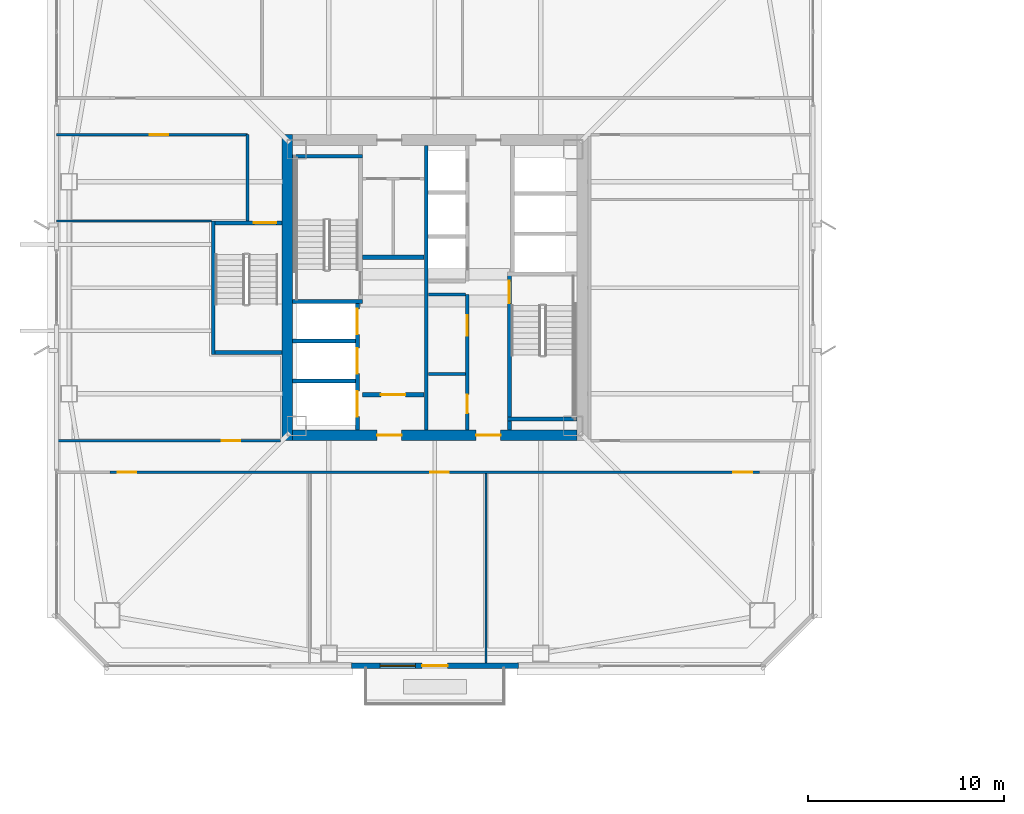
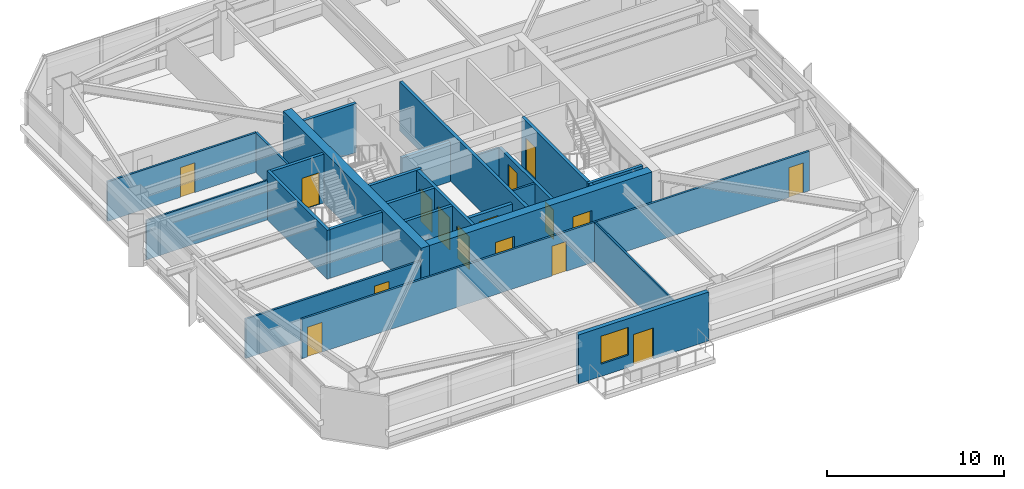
# One storey, part 36 of 48: 25 walls, 16 doors, 1 window, 17 openings.
"""IFC4 building model written with IfcOpenShell, lengths in metres."""

from ifc_helpers import new_model, si_unit, direction, frame, frame_2d, origin, place, context, subcontext, project, spatial, rectangle, extrude, material, layer, layer_set, type_object, element, fill, save


model = new_model("IFC4")

# Units and contexts
model_context = context("Model", 3, precision=1e-05, world=origin(), true_north=direction((0.0, 1.0)))
body_context = subcontext(model_context, "Body", "Model", "MODEL_VIEW")
ifc_project = project(units=[si_unit("LENGTHUNIT", "METRE"), si_unit("AREAUNIT", "SQUARE_METRE"), si_unit("VOLUMEUNIT", "CUBIC_METRE"), si_unit("PLANEANGLEUNIT", "RADIAN"), si_unit("MASSUNIT", "GRAM", prefix="KILO")], contexts=[model_context])

# Site, building, storey
site_placement = place(None, origin())
site = spatial("IfcSite", under=ifc_project, at=site_placement, CompositionType="ELEMENT")
building_placement = place(site_placement, origin())
building = spatial("IfcBuilding", under=site, at=building_placement, Name="Tashvorn Skyway Center", CompositionType="ELEMENT")
storey_placement = place(building_placement, frame((0.0, 0.0, 125.050048828125)))
storey = spatial("IfcBuildingStorey", under=building, at=storey_placement, Name="L33", CompositionType="ELEMENT", Elevation=125.050048828125)

# Wall
ifc_material_1 = material(Name="Concrete C60/75", Category="concrete")
ifc_layer_1 = layer(ifc_material_1, 0.550048828125)
ifc_layer_set_1 = layer_set([ifc_layer_1], Name="Concrete C60/75")
wall_type_1 = type_object("IfcWallType", Name="WALL-CORE-550", PredefinedType="SHEAR", material=ifc_layer_set_1)
wall_1_placement = place(storey_placement, frame((34.47509765625, 24.199951171875, 0.0), z_axis=(0.0, 0.0, 1.0), x_axis=(0.0, 1.0, 0.0)))
element("IfcWall", 1, at=wall_1_placement, inside=storey, type_object=wall_type_1, Name="Tower 1 L33 West Core Shear Wall", PredefinedType="SHEAR", context=body_context, shape_type="SweptSolid", body=[
    extrude(rectangle(XDim=15.60009765625, YDim=0.550048828125, at=frame_2d((7.800048828125, 0.0))), origin(), (0.0, 0.0, 1.0), 3.550048828125),
])

# Wall, openings, doors
wall_2_placement = place(storey_placement, frame((49.25, 24.47509765625, 0.0), z_axis=(0.0, 0.0, 1.0), x_axis=(-1.0, 0.0, 0.0)))
wall_2 = element("IfcWall", 2, at=wall_2_placement, inside=storey, type_object=wall_type_1, Name="Tower 1 L33 South Core Shear Wall", PredefinedType="SHEAR", context=body_context, shape_type="SweptSolid", body=[
    extrude(rectangle(XDim=14.5, YDim=0.550048828125, at=frame_2d((7.25, 0.0))), origin(), (0.0, 0.0, 1.0), 3.550048828125),
])
opening_1_placement = place(wall_2_placement, frame((8.949951171875, 0.0, 0.0)))
opening_1 = element("IfcOpeningElement", 3, at=opening_1_placement, cuts=wall_2, Name="Opening D-FFL-1250", PredefinedType="OPENING", context=body_context, shape_type="SweptSolid", body=[
    extrude(rectangle(XDim=1.25, YDim=2.25, at=frame_2d((0.625, 1.125))), frame((0.0, 0.284912109375, 0.0), z_axis=(0.0, -1.0, 0.0), x_axis=(1.0, 0.0, 0.0)), (0.0, 0.0, 1.0), 0.570068359375),
])
opening_2_placement = place(wall_2_placement, frame((3.89990234375, 0.0, 0.0)))
opening_2 = element("IfcOpeningElement", 4, at=opening_2_placement, cuts=wall_2, Name="Opening D-FFL-1250", PredefinedType="OPENING", context=body_context, shape_type="SweptSolid", body=[
    extrude(rectangle(XDim=1.25, YDim=2.25, at=frame_2d((0.625, 1.125))), frame((0.0, 0.284912109375, 0.0), z_axis=(0.0, -1.0, 0.0), x_axis=(1.0, 0.0, 0.0)), (0.0, 0.0, 1.0), 0.570068359375),
])
ifc_material_2 = material(Name="Hollow galvanized steel fire door assembly", Category="steel")
door_type_1 = type_object("IfcDoorType", Name="DOOR-FFL-1250", OperationType="NOTDEFINED", PredefinedType="DOOR", material=ifc_material_2)
door_1_placement = place(opening_1_placement, origin())
door_1 = element("IfcDoor", 5, at=door_1_placement, inside=storey, type_object=door_type_1, Name="Tower 1 L33 Core South Firefighting Exit Door", OperationType="SINGLE_SWING_LEFT", OverallHeight=2.25, OverallWidth=1.25, PredefinedType="DOOR", context=body_context, shape_type="SweptSolid", body=[
    extrude(rectangle(XDim=1.25, YDim=2.25, at=frame_2d((0.625, 1.125))), frame((0.0, 0.02490234375, 0.0), z_axis=(0.0, -1.0, 0.0), x_axis=(1.0, 0.0, 0.0)), (0.0, 0.0, 1.0), 0.050048828125),
])
fill(opening_1, door_1)
door_2_placement = place(opening_2_placement, origin())
door_2 = element("IfcDoor", 6, at=door_2_placement, inside=storey, type_object=door_type_1, Name="Tower 1 L33 Core South Lift Lobby Door", OperationType="SINGLE_SWING_RIGHT", OverallHeight=2.25, OverallWidth=1.25, PredefinedType="DOOR", context=body_context, shape_type="SweptSolid", body=[
    extrude(rectangle(XDim=1.25, YDim=2.25, at=frame_2d((0.625, 1.125))), frame((0.0, 0.02490234375, 0.0), z_axis=(0.0, -1.0, 0.0), x_axis=(1.0, 0.0, 0.0)), (0.0, 0.0, 1.0), 0.050048828125),
])
fill(opening_2, door_2)

# Wall, openings, door, window
ifc_material_3 = material(Name="Precast concrete C40/50", Category="concrete")
ifc_layer_2 = layer(ifc_material_3, 0.280029296875)
ifc_layer_set_2 = layer_set([ifc_layer_2], Name="Precast concrete C40/50")
wall_type_2 = type_object("IfcWallType", Name="WALL-EXT-280", PredefinedType="SOLIDWALL", material=ifc_layer_set_2)
wall_3_placement = place(storey_placement, frame((46.25, 12.719970703125, 0.0), z_axis=(0.0, 0.0, 1.0), x_axis=(-1.0, 0.0, 0.0)))
wall_3 = element("IfcWall", 7, at=wall_3_placement, inside=storey, type_object=wall_type_2, Name="Tower 1 L33 South Terrace Portal Wall", PredefinedType="SOLIDWALL", context=body_context, shape_type="SweptSolid", body=[
    extrude(rectangle(XDim=8.5, YDim=0.280029296875, at=frame_2d((4.25, 0.0))), origin(), (0.0, 0.0, 1.0), 3.369873046875),
])
opening_3_placement = place(wall_3_placement, frame((3.60009765625, 0.0, 0.0)))
opening_3 = element("IfcOpeningElement", 8, at=opening_3_placement, cuts=wall_3, Name="Opening D-TER-1300", PredefinedType="OPENING", context=body_context, shape_type="SweptSolid", body=[
    extrude(rectangle(XDim=1.300048828125, YDim=2.14990234375, at=frame_2d((0.64990234375, 1.074951171875))), frame((0.0, 0.14990234375, 0.0), z_axis=(0.0, -1.0, 0.0), x_axis=(1.0, 0.0, 0.0)), (0.0, 0.0, 1.0), 0.300048828125),
])
opening_4_placement = place(wall_3_placement, frame((5.239990234375, 0.0, 0.85009765625)))
opening_4 = element("IfcOpeningElement", 9, at=opening_4_placement, cuts=wall_3, Name="Opening WIN-1800", PredefinedType="OPENING", context=body_context, shape_type="SweptSolid", body=[
    extrude(rectangle(XDim=1.800048828125, YDim=1.919921875, at=frame_2d((0.89990234375, 0.9599609375))), frame((0.0, 0.14990234375, 0.0), z_axis=(0.0, -1.0, 0.0), x_axis=(1.0, 0.0, 0.0)), (0.0, 0.0, 1.0), 0.300048828125),
])
ifc_material_4 = material(Name="Thermally broken bronze-anodized aluminium 6063-T6", Category="aluminium")
door_type_2 = type_object("IfcDoorType", Name="DOOR-TERR-1300", OperationType="NOTDEFINED", PredefinedType="DOOR", material=ifc_material_4)
door_3_placement = place(opening_3_placement, origin())
door_3 = element("IfcDoor", 10, at=door_3_placement, inside=storey, type_object=door_type_2, Name="Tower 1 L33 Terrace Access Door", OperationType="SINGLE_SWING_LEFT", OverallHeight=2.14990234375, OverallWidth=1.300048828125, PredefinedType="DOOR", context=body_context, shape_type="SweptSolid", body=[
    extrude(rectangle(XDim=1.300048828125, YDim=2.14990234375, at=frame_2d((0.64990234375, 1.074951171875))), frame((0.0, 0.02490234375, 0.0), z_axis=(0.0, -1.0, 0.0), x_axis=(1.0, 0.0, 0.0)), (0.0, 0.0, 1.0), 0.050048828125),
])
fill(opening_3, door_3)
ifc_material_5 = material(Name="Low-E solar-control double insulating safety glass", Category="glass")
window_type = type_object("IfcWindowType", Name="WIN-TERR-1800", PartitioningType="SINGLE_PANEL", PredefinedType="WINDOW", material=ifc_material_5)
window_placement = place(opening_4_placement, origin())
window = element("IfcWindow", 11, at=window_placement, inside=storey, type_object=window_type, Name="Tower 1 L33 Terrace Window", OverallHeight=1.919921875, OverallWidth=1.800048828125, PartitioningType="SINGLE_PANEL", PredefinedType="WINDOW", context=body_context, shape_type="SweptSolid", body=[
    extrude(rectangle(XDim=1.800048828125, YDim=1.919921875, at=frame_2d((0.89990234375, 0.9599609375))), frame((0.0, 0.030029296875, 0.0), z_axis=(0.0, -1.0, 0.0), x_axis=(1.0, 0.0, 0.0)), (0.0, 0.0, 1.0), 0.06005859375),
])
fill(opening_4, window)

# Wall
ifc_material_6 = material(Name="Concrete C40/50", Category="concrete")
ifc_layer_3 = layer(ifc_material_6, 0.219970703125)
ifc_layer_set_3 = layer_set([ifc_layer_3], Name="Concrete C40/50")
wall_type_3 = type_object("IfcWallType", Name="WALL-FFL-220", PredefinedType="SOLIDWALL", material=ifc_layer_set_3)
wall_4_placement = place(storey_placement, frame((38.300048828125, 33.56005859375, 0.0), z_axis=(0.0, 0.0, 1.0), x_axis=(1.0, 0.0, 0.0)))
element("IfcWall", 12, at=wall_4_placement, inside=storey, type_object=wall_type_3, Name="Tower 1 L33 Firefighting Lobby North Wall", PredefinedType="SOLIDWALL", context=body_context, shape_type="SweptSolid", body=[
    extrude(rectangle(XDim=3.14990234375, YDim=0.219970703125, at=frame_2d((1.574951171875, 0.0))), origin(), (0.0, 0.0, 1.0), 2.722900390625),
])

# Wall, opening, door
wall_5_placement = place(storey_placement, frame((38.300048828125, 26.5400390625, 0.0), z_axis=(0.0, 0.0, 1.0), x_axis=(1.0, 0.0, 0.0)))
wall_5 = element("IfcWall", 13, at=wall_5_placement, inside=storey, type_object=wall_type_3, Name="Tower 1 L33 Firefighting Lobby South Wall", PredefinedType="SOLIDWALL", context=body_context, shape_type="SweptSolid", body=[
    extrude(rectangle(XDim=3.14990234375, YDim=0.219970703125, at=frame_2d((1.574951171875, 0.0))), origin(), (0.0, 0.0, 1.0), 2.722900390625),
])
opening_5_placement = place(wall_5_placement, frame((0.949951171875, 0.0, 0.0)))
opening_5 = element("IfcOpeningElement", 14, at=opening_5_placement, cuts=wall_5, Name="Opening D-FFL-1250", PredefinedType="OPENING", context=body_context, shape_type="SweptSolid", body=[
    extrude(rectangle(XDim=1.25, YDim=2.25, at=frame_2d((0.625, 1.125))), frame((0.0, 0.119873046875, 0.0), z_axis=(0.0, -1.0, 0.0), x_axis=(1.0, 0.0, 0.0)), (0.0, 0.0, 1.0), 0.239990234375),
])
door_4_placement = place(opening_5_placement, origin())
door_4 = element("IfcDoor", 15, at=door_4_placement, inside=storey, type_object=door_type_1, Name="Tower 1 L33 Firefighting Lobby Egress Door", OperationType="SINGLE_SWING_LEFT", OverallHeight=2.25, OverallWidth=1.25, PredefinedType="DOOR", context=body_context, shape_type="SweptSolid", body=[
    extrude(rectangle(XDim=1.25, YDim=2.25, at=frame_2d((0.625, 1.125))), frame((0.0, 0.02490234375, 0.0), z_axis=(0.0, -1.0, 0.0), x_axis=(1.0, 0.0, 0.0)), (0.0, 0.0, 1.0), 0.050048828125),
])
fill(opening_5, door_4)

# Walls
ifc_material_7 = material(Name="Gypsum board on cold-formed steel stud framing", Category="steel")
ifc_layer_4 = layer(ifc_material_7, 0.110107421875)
ifc_layer_set_4 = layer_set([ifc_layer_4], Name="Gypsum board on cold-formed steel stud framing")
wall_type_4 = type_object("IfcWallType", Name="WALL-PART-110", PredefinedType="PARTITIONING", material=ifc_layer_set_4)
wall_6_placement = place(storey_placement, frame((44.60009765625, 12.8701171875, 0.0), z_axis=(0.0, 0.0, 1.0), x_axis=(0.0, 1.0, 0.0)))
element("IfcWall", 16, at=wall_6_placement, inside=storey, type_object=wall_type_4, Name="Tower 1 L33 South Suite Partition 2", PredefinedType="PARTITIONING", context=body_context, shape_type="SweptSolid", body=[
    extrude(rectangle(XDim=9.64990234375, YDim=0.110107421875, at=frame_2d((4.824951171875, 0.0))), origin(), (0.0, 0.0, 1.0), 2.722900390625),
])
wall_7_placement = place(storey_placement, frame((30.60009765625, 35.39990234375, 0.0), z_axis=(0.0, 0.0, 1.0), x_axis=(-1.0, 0.0, 0.0)))
element("IfcWall", 17, at=wall_7_placement, inside=storey, type_object=wall_type_4, Name="Tower 1 L33 West Suite Partition 1", PredefinedType="PARTITIONING", context=body_context, shape_type="SweptSolid", body=[
    extrude(rectangle(XDim=7.880126953125, YDim=0.110107421875, at=frame_2d((3.93994140625, 0.0))), origin(), (0.0, 0.0, 1.0), 2.722900390625),
])
ifc_layer_5 = layer(ifc_material_7, 0.135009765625)
ifc_layer_set_5 = layer_set([ifc_layer_5], Name="Gypsum board on cold-formed steel stud framing")
wall_type_5 = type_object("IfcWallType", Name="WALL-PART-135", PredefinedType="PARTITIONING", material=ifc_layer_set_5)
wall_8_placement = place(storey_placement, frame((32.449951171875, 35.39990234375, 0.0), z_axis=(0.0, 0.0, 1.0), x_axis=(0.0, 1.0, 0.0)))
element("IfcWall", 18, at=wall_8_placement, inside=storey, type_object=wall_type_5, Name="Tower 1 L33 Stair 3 Access Corridor Wall", PredefinedType="PARTITIONING", context=body_context, shape_type="SweptSolid", body=[
    extrude(rectangle(XDim=4.400146484375, YDim=0.135009765625, at=frame_2d((2.2001953125, 0.0))), origin(), (0.0, 0.0, 1.0), 2.722900390625),
])

# Wall, openings, doors
wall_9_placement = place(storey_placement, frame((58.550048828125, 22.60009765625, 0.0), z_axis=(0.0, 0.0, 1.0), x_axis=(-1.0, 0.0, 0.0)))
wall_9 = element("IfcWall", 19, at=wall_9_placement, inside=storey, type_object=wall_type_5, Name="Tower 1 L33 South Suite Wall", PredefinedType="PARTITIONING", context=body_context, shape_type="SweptSolid", body=[
    extrude(rectangle(XDim=33.10009765625, YDim=0.135009765625, at=frame_2d((16.550048828125, 0.0))), origin(), (0.0, 0.0, 1.0), 2.722900390625),
])
opening_6_placement = place(wall_9_placement, frame((31.77001953125, 0.0, 0.0)))
opening_6 = element("IfcOpeningElement", 20, at=opening_6_placement, cuts=wall_9, Name="Opening D-INT-950", PredefinedType="OPENING", context=body_context, shape_type="SweptSolid", body=[
    extrude(rectangle(XDim=0.949951171875, YDim=2.050048828125, at=frame_2d((0.47509765625, 1.02490234375))), frame((0.0, 0.077392578125, 0.0), z_axis=(0.0, -1.0, 0.0), x_axis=(1.0, 0.0, 0.0)), (0.0, 0.0, 1.0), 0.155029296875),
])
opening_7_placement = place(wall_9_placement, frame((15.83837890625, 0.0, 0.0)))
opening_7 = element("IfcOpeningElement", 21, at=opening_7_placement, cuts=wall_9, Name="Opening D-INT-950", PredefinedType="OPENING", context=body_context, shape_type="SweptSolid", body=[
    extrude(rectangle(XDim=0.949951171875, YDim=2.050048828125, at=frame_2d((0.47509765625, 1.02490234375))), frame((0.0, 0.077392578125, 0.0), z_axis=(0.0, -1.0, 0.0), x_axis=(1.0, 0.0, 0.0)), (0.0, 0.0, 1.0), 0.155029296875),
])
opening_8_placement = place(wall_9_placement, frame((0.3798828125, 0.0, 0.0)))
opening_8 = element("IfcOpeningElement", 22, at=opening_8_placement, cuts=wall_9, Name="Opening D-INT-950", PredefinedType="OPENING", context=body_context, shape_type="SweptSolid", body=[
    extrude(rectangle(XDim=0.949951171875, YDim=2.050048828125, at=frame_2d((0.47509765625, 1.02490234375))), frame((0.0, 0.077392578125, 0.0), z_axis=(0.0, -1.0, 0.0), x_axis=(1.0, 0.0, 0.0)), (0.0, 0.0, 1.0), 0.155029296875),
])
ifc_material_8 = material(Name="Solid-core architectural oak veneer door")
door_type_3 = type_object("IfcDoorType", Name="DOOR-INT-950", OperationType="NOTDEFINED", PredefinedType="DOOR", material=ifc_material_8)
door_5_placement = place(opening_6_placement, origin())
door_5 = element("IfcDoor", 23, at=door_5_placement, inside=storey, type_object=door_type_3, Name="Tower 1 L33 Executive Suite Door", OperationType="SINGLE_SWING_LEFT", OverallHeight=2.050048828125, OverallWidth=0.949951171875, PredefinedType="DOOR", context=body_context, shape_type="SweptSolid", body=[
    extrude(rectangle(XDim=0.949951171875, YDim=2.050048828125, at=frame_2d((0.47509765625, 1.02490234375))), frame((0.0, 0.02490234375, 0.0), z_axis=(0.0, -1.0, 0.0), x_axis=(1.0, 0.0, 0.0)), (0.0, 0.0, 1.0), 0.050048828125),
])
fill(opening_6, door_5)
door_6_placement = place(opening_7_placement, origin())
door_6 = element("IfcDoor", 24, at=door_6_placement, inside=storey, type_object=door_type_3, Name="Tower 1 L33 Boardroom Door", OperationType="SINGLE_SWING_RIGHT", OverallHeight=2.050048828125, OverallWidth=0.949951171875, PredefinedType="DOOR", context=body_context, shape_type="SweptSolid", body=[
    extrude(rectangle(XDim=0.949951171875, YDim=2.050048828125, at=frame_2d((0.47509765625, 1.02490234375))), frame((0.0, 0.02490234375, 0.0), z_axis=(0.0, -1.0, 0.0), x_axis=(1.0, 0.0, 0.0)), (0.0, 0.0, 1.0), 0.050048828125),
])
fill(opening_7, door_6)
door_7_placement = place(opening_8_placement, origin())
door_7 = element("IfcDoor", 25, at=door_7_placement, inside=storey, type_object=door_type_3, Name="Tower 1 L33 Boardroom Door", OperationType="SINGLE_SWING_LEFT", OverallHeight=2.050048828125, OverallWidth=0.949951171875, PredefinedType="DOOR", context=body_context, shape_type="SweptSolid", body=[
    extrude(rectangle(XDim=0.949951171875, YDim=2.050048828125, at=frame_2d((0.47509765625, 1.02490234375))), frame((0.0, 0.02490234375, 0.0), z_axis=(0.0, -1.0, 0.0), x_axis=(1.0, 0.0, 0.0)), (0.0, 0.0, 1.0), 0.050048828125),
])
fill(opening_8, door_7)

# Wall, opening, door
wall_10_placement = place(storey_placement, frame((32.449951171875, 39.800048828125, 0.0), z_axis=(0.0, 0.0, 1.0), x_axis=(-1.0, 0.0, 0.0)))
wall_10 = element("IfcWall", 26, at=wall_10_placement, inside=storey, type_object=wall_type_5, Name="Tower 1 L33 West Suite North Wall", PredefinedType="PARTITIONING", context=body_context, shape_type="SweptSolid", body=[
    extrude(rectangle(XDim=9.72998046875, YDim=0.135009765625, at=frame_2d((4.864990234375, 0.0))), origin(), (0.0, 0.0, 1.0), 2.722900390625),
])
opening_9_placement = place(wall_10_placement, frame((4.0400390625, 0.0, 0.0)))
opening_9 = element("IfcOpeningElement", 27, at=opening_9_placement, cuts=wall_10, Name="Opening D-INT-950", PredefinedType="OPENING", context=body_context, shape_type="SweptSolid", body=[
    extrude(rectangle(XDim=0.949951171875, YDim=2.050048828125, at=frame_2d((0.47509765625, 1.02490234375))), frame((0.0, 0.077392578125, 0.0), z_axis=(0.0, -1.0, 0.0), x_axis=(1.0, 0.0, 0.0)), (0.0, 0.0, 1.0), 0.155029296875),
])
door_8_placement = place(opening_9_placement, origin())
door_8 = element("IfcDoor", 28, at=door_8_placement, inside=storey, type_object=door_type_3, Name="Tower 1 L33 Security Control Room Door", OperationType="SINGLE_SWING_RIGHT", OverallHeight=2.050048828125, OverallWidth=0.949951171875, PredefinedType="DOOR", context=body_context, shape_type="SweptSolid", body=[
    extrude(rectangle(XDim=0.949951171875, YDim=2.050048828125, at=frame_2d((0.47509765625, 1.02490234375))), frame((0.0, 0.02490234375, 0.0), z_axis=(0.0, -1.0, 0.0), x_axis=(1.0, 0.0, 0.0)), (0.0, 0.0, 1.0), 0.050048828125),
])
fill(opening_9, door_8)

wall_11_placement = place(storey_placement, frame((22.719970703125, 24.199951171875, 0.0), z_axis=(0.0, 0.0, 1.0), x_axis=(1.0, 0.0, 0.0)))
wall_11 = element("IfcWall", 29, at=wall_11_placement, inside=storey, type_object=wall_type_5, Name="Tower 1 L33 West Suite South Wall", PredefinedType="PARTITIONING", context=body_context, shape_type="SweptSolid", body=[
    extrude(rectangle(XDim=11.400146484375, YDim=0.135009765625, at=frame_2d((5.7001953125, 0.0))), origin(), (0.0, 0.0, 1.0), 2.722900390625),
])
opening_10_placement = place(wall_11_placement, frame((8.405029296875, 0.0, 0.0)))
opening_10 = element("IfcOpeningElement", 30, at=opening_10_placement, cuts=wall_11, Name="Opening D-INT-950", PredefinedType="OPENING", context=body_context, shape_type="SweptSolid", body=[
    extrude(rectangle(XDim=0.949951171875, YDim=2.050048828125, at=frame_2d((0.47509765625, 1.02490234375))), frame((0.0, 0.077392578125, 0.0), z_axis=(0.0, -1.0, 0.0), x_axis=(1.0, 0.0, 0.0)), (0.0, 0.0, 1.0), 0.155029296875),
])
door_9_placement = place(opening_10_placement, origin())
door_9 = element("IfcDoor", 31, at=door_9_placement, inside=storey, type_object=door_type_3, Name="Tower 1 L33 Public Restroom Door", OperationType="SINGLE_SWING_LEFT", OverallHeight=2.050048828125, OverallWidth=0.949951171875, PredefinedType="DOOR", context=body_context, shape_type="SweptSolid", body=[
    extrude(rectangle(XDim=0.949951171875, YDim=2.050048828125, at=frame_2d((0.47509765625, 1.02490234375))), frame((0.0, 0.02490234375, 0.0), z_axis=(0.0, -1.0, 0.0), x_axis=(1.0, 0.0, 0.0)), (0.0, 0.0, 1.0), 0.050048828125),
])
fill(opening_10, door_9)

# Walls
ifc_layer_6 = layer(ifc_material_7, 0.135009765625)
ifc_layer_set_6 = layer_set([ifc_layer_6], Name="Gypsum board on cold-formed steel stud framing")
wall_type_6 = type_object("IfcWallType", Name="WALL-RATED-135", PredefinedType="PARTITIONING", material=ifc_layer_set_6)
for number, where, z_axis, x_axis, name in (
    (32, (41.669921875, 31.64990234375, 0.0), (0.0, 0.0, 1.0), (1.0, 0.0, 0.0), "Tower 1 L33 Core Room Partition"),
    (33, (41.669921875, 27.60009765625, 0.0), (0.0, 0.0, 1.0), (1.0, 0.0, 0.0), "Tower 1 L33 Freed Core Partition"),
):
    element("IfcWall", number, at=place(storey_placement, frame(where, z_axis=z_axis, x_axis=x_axis)), inside=storey, type_object=wall_type_6, Name=name, PredefinedType="PARTITIONING", context=body_context, shape_type="SweptSolid", body=[
        extrude(rectangle(XDim=1.880126953125, YDim=0.135009765625, at=frame_2d((0.93994140625, 0.0))), origin(), (0.0, 0.0, 1.0), 2.722900390625),
    ])
ifc_layer_7 = layer(ifc_material_6, 0.199951171875)
ifc_layer_set_7 = layer_set([ifc_layer_7], Name="Concrete C40/50")
wall_type_7 = type_object("IfcWallType", Name="WALL-SHAFT-200", PredefinedType="SOLIDWALL", material=ifc_layer_set_7)
for number, where, z_axis, x_axis, name in (
    (34, (34.75, 27.25, 0.0), (0.0, 0.0, 1.0), (1.0, 0.0, 0.0), "Tower 1 L33 FSAE Shaft Divider"),
    (35, (34.75, 29.280029296875, 0.0), (0.0, 0.0, 1.0), (1.0, 0.0, 0.0), "Tower 1 L33 FSAE Shaft Divider"),
):
    element("IfcWall", number, at=place(storey_placement, frame(where, z_axis=z_axis, x_axis=x_axis)), inside=storey, type_object=wall_type_7, Name=name, PredefinedType="SOLIDWALL", context=body_context, shape_type="SweptSolid", body=[
        extrude(rectangle(XDim=3.199951171875, YDim=0.199951171875, at=frame_2d((1.60009765625, 0.0))), origin(), (0.0, 0.0, 1.0), 3.369873046875),
    ])

# Wall, openings, doors
wall_12_placement = place(storey_placement, frame((43.64990234375, 24.75, 0.0), z_axis=(0.0, 0.0, 1.0), x_axis=(0.0, 1.0, 0.0)))
wall_12 = element("IfcWall", 36, at=wall_12_placement, inside=storey, type_object=wall_type_7, Name="Tower 1 L33 Low-Rise Core Wall", PredefinedType="SOLIDWALL", context=body_context, shape_type="SweptSolid", body=[
    extrude(rectangle(XDim=6.89990234375, YDim=0.199951171875, at=frame_2d((3.449951171875, 0.0))), origin(), (0.0, 0.0, 1.0), 2.722900390625),
])
opening_11_placement = place(wall_12_placement, frame((0.85009765625, 0.0, 0.0)))
opening_11 = element("IfcOpeningElement", 37, at=opening_11_placement, cuts=wall_12, Name="Opening D-RT-950", PredefinedType="OPENING", context=body_context, shape_type="SweptSolid", body=[
    extrude(rectangle(XDim=0.949951171875, YDim=2.050048828125, at=frame_2d((0.47509765625, 1.02490234375))), frame((0.0, 0.10986328125, 0.0), z_axis=(0.0, -1.0, 0.0), x_axis=(1.0, 0.0, 0.0)), (0.0, 0.0, 1.0), 0.219970703125),
])
opening_12_placement = place(wall_12_placement, frame((4.800048828125, 0.0, 0.0)))
opening_12 = element("IfcOpeningElement", 38, at=opening_12_placement, cuts=wall_12, Name="Opening D-RT-1050", PredefinedType="OPENING", context=body_context, shape_type="SweptSolid", body=[
    extrude(rectangle(XDim=1.050048828125, YDim=2.199951171875, at=frame_2d((0.52490234375, 1.10009765625))), frame((0.0, 0.10986328125, 0.0), z_axis=(0.0, -1.0, 0.0), x_axis=(1.0, 0.0, 0.0)), (0.0, 0.0, 1.0), 0.219970703125),
])
door_type_4 = type_object("IfcDoorType", Name="DOOR-RATED-1050", OperationType="NOTDEFINED", PredefinedType="DOOR", material=ifc_material_2)
door_10_placement = place(opening_12_placement, origin())
door_10 = element("IfcDoor", 39, at=door_10_placement, inside=storey, type_object=door_type_4, Name="Tower 1 L33 Freed Core Room Door", OperationType="SINGLE_SWING_RIGHT", OverallHeight=2.199951171875, OverallWidth=1.050048828125, PredefinedType="DOOR", context=body_context, shape_type="SweptSolid", body=[
    extrude(rectangle(XDim=1.050048828125, YDim=2.199951171875, at=frame_2d((0.52490234375, 1.10009765625))), frame((0.0, 0.02490234375, 0.0), z_axis=(0.0, -1.0, 0.0), x_axis=(1.0, 0.0, 0.0)), (0.0, 0.0, 1.0), 0.050048828125),
])
fill(opening_12, door_10)
door_type_5 = type_object("IfcDoorType", Name="DOOR-RATED-950", OperationType="NOTDEFINED", PredefinedType="DOOR", material=ifc_material_2)
door_11_placement = place(opening_11_placement, origin())
door_11 = element("IfcDoor", 40, at=door_11_placement, inside=storey, type_object=door_type_5, Name="Tower 1 L33 Core Print Room Door", OperationType="SINGLE_SWING_LEFT", OverallHeight=2.050048828125, OverallWidth=0.949951171875, PredefinedType="DOOR", context=body_context, shape_type="SweptSolid", body=[
    extrude(rectangle(XDim=0.949951171875, YDim=2.050048828125, at=frame_2d((0.47509765625, 1.02490234375))), frame((0.0, 0.02490234375, 0.0), z_axis=(0.0, -1.0, 0.0), x_axis=(1.0, 0.0, 0.0)), (0.0, 0.0, 1.0), 0.050048828125),
])
fill(opening_11, door_11)

# Walls
ifc_layer_8 = layer(ifc_material_6, 0.199951171875)
ifc_layer_set_8 = layer_set([ifc_layer_8], Name="Concrete C40/50")
wall_type_8 = type_object("IfcWallType", Name="WALL-STSHF-200", PredefinedType="SHEAR", material=ifc_layer_set_8)
for number, where, z_axis, x_axis, name in (
    (41, (34.75, 31.300048828125, 0.0), (0.0, 0.0, 1.0), (1.0, 0.0, 0.0), "Tower 1 L33 Stair 1 South Wall"),
    (42, (34.75, 38.699951171875, 0.0), (0.0, 0.0, 1.0), (1.0, 0.0, 0.0), "Tower 1 L33 Stair 1 North Wall"),
):
    element("IfcWall", number, at=place(storey_placement, frame(where, z_axis=z_axis, x_axis=x_axis)), inside=storey, type_object=wall_type_8, Name=name, PredefinedType="SHEAR", context=body_context, shape_type="SweptSolid", body=[
        extrude(rectangle(XDim=3.550048828125, YDim=0.199951171875, at=frame_2d((1.77490234375, 0.0))), origin(), (0.0, 0.0, 1.0), 3.369873046875),
    ])

# Wall, opening, door
wall_13_placement = place(storey_placement, frame((45.800048828125, 32.800048828125, 0.0), z_axis=(0.0, 0.0, 1.0), x_axis=(0.0, -1.0, 0.0)))
wall_13 = element("IfcWall", 43, at=wall_13_placement, inside=storey, type_object=wall_type_8, Name="Tower 1 L33 Stair 2 Enclosure Wall", PredefinedType="SHEAR", context=body_context, shape_type="SweptSolid", body=[
    extrude(rectangle(XDim=8.050048828125, YDim=0.199951171875, at=frame_2d((4.02490234375, 0.0))), origin(), (0.0, 0.0, 1.0), 3.369873046875),
])
opening_13_placement = place(wall_13_placement, frame((0.449951171875, 0.0, 0.0)))
opening_13 = element("IfcOpeningElement", 44, at=opening_13_placement, cuts=wall_13, Name="Opening D-ST-1150", PredefinedType="OPENING", context=body_context, shape_type="SweptSolid", body=[
    extrude(rectangle(XDim=1.14990234375, YDim=2.199951171875, at=frame_2d((0.574951171875, 1.10009765625))), frame((0.0, 0.10986328125, 0.0), z_axis=(0.0, -1.0, 0.0), x_axis=(1.0, 0.0, 0.0)), (0.0, 0.0, 1.0), 0.219970703125),
])
door_type_6 = type_object("IfcDoorType", Name="DOOR-STAIR-1150", OperationType="NOTDEFINED", PredefinedType="DOOR", material=ifc_material_2)
door_12_placement = place(opening_13_placement, origin())
door_12 = element("IfcDoor", 45, at=door_12_placement, inside=storey, type_object=door_type_6, Name="Tower 1 L33 Exit Stair 2 Door", OperationType="SINGLE_SWING_RIGHT", OverallHeight=2.199951171875, OverallWidth=1.14990234375, PredefinedType="DOOR", context=body_context, shape_type="SweptSolid", body=[
    extrude(rectangle(XDim=1.14990234375, YDim=2.199951171875, at=frame_2d((0.574951171875, 1.10009765625))), frame((0.0, 0.02490234375, 0.0), z_axis=(0.0, -1.0, 0.0), x_axis=(1.0, 0.0, 0.0)), (0.0, 0.0, 1.0), 0.050048828125),
])
fill(opening_13, door_12)

# Walls
wall_14_placement = place(storey_placement, frame((45.699951171875, 25.300048828125, 0.0), z_axis=(0.0, 0.0, 1.0), x_axis=(1.0, 0.0, 0.0)))
element("IfcWall", 46, at=wall_14_placement, inside=storey, type_object=wall_type_8, Name="Tower 1 L33 Stair 2 South Wall", PredefinedType="SHEAR", context=body_context, shape_type="SweptSolid", body=[
    extrude(rectangle(XDim=3.550048828125, YDim=0.199951171875, at=frame_2d((1.77490234375, 0.0))), origin(), (0.0, 0.0, 1.0), 3.369873046875),
])
wall_15_placement = place(storey_placement, frame((41.56005859375, 24.75, 0.0), z_axis=(0.0, 0.0, 1.0), x_axis=(0.0, 1.0, 0.0)))
element("IfcWall", 47, at=wall_15_placement, inside=storey, type_object=wall_type_8, Name="Tower 1 L33 Firefighting Lobby East Smoke Barrier", PredefinedType="SHEAR", context=body_context, shape_type="SweptSolid", body=[
    extrude(rectangle(XDim=14.5, YDim=0.199951171875, at=frame_2d((7.25, 0.0))), origin(), (0.0, 0.0, 1.0), 3.369873046875),
])

# Wall, openings, doors
wall_16_placement = place(storey_placement, frame((38.050048828125, 24.75, 0.0), z_axis=(0.0, 0.0, 1.0), x_axis=(0.0, 1.0, 0.0)))
wall_16 = element("IfcWall", 48, at=wall_16_placement, inside=storey, type_object=wall_type_8, Name="Tower 1 L33 FSAE and Goods Shaft Front Wall", PredefinedType="SHEAR", context=body_context, shape_type="SweptSolid", body=[
    extrude(rectangle(XDim=6.449951171875, YDim=0.199951171875, at=frame_2d((3.22509765625, 0.0))), origin(), (0.0, 0.0, 1.0), 3.369873046875),
])
opening_14_placement = place(wall_16_placement, frame((4.875, 0.0, 0.0)))
opening_14 = element("IfcOpeningElement", 49, at=opening_14_placement, cuts=wall_16, Name="Opening LD-FF-T1-1-L33", PredefinedType="OPENING", context=body_context, shape_type="SweptSolid", body=[
    extrude(rectangle(XDim=1.300048828125, YDim=2.25, at=frame_2d((0.64990234375, 1.125))), frame((0.0, 0.10986328125, 0.0), z_axis=(0.0, -1.0, 0.0), x_axis=(1.0, 0.0, 0.0)), (0.0, 0.0, 1.0), 0.219970703125),
])
opening_15_placement = place(wall_16_placement, frame((2.875, 0.0, 0.0)))
opening_15 = element("IfcOpeningElement", 50, at=opening_15_placement, cuts=wall_16, Name="Opening LD-FF-T1-2-L33", PredefinedType="OPENING", context=body_context, shape_type="SweptSolid", body=[
    extrude(rectangle(XDim=1.300048828125, YDim=2.25, at=frame_2d((0.64990234375, 1.125))), frame((0.0, 0.10986328125, 0.0), z_axis=(0.0, -1.0, 0.0), x_axis=(1.0, 0.0, 0.0)), (0.0, 0.0, 1.0), 0.219970703125),
])
opening_16_placement = place(wall_16_placement, frame((0.675048828125, 0.0, 0.0)))
opening_16 = element("IfcOpeningElement", 51, at=opening_16_placement, cuts=wall_16, Name="Opening LD-GD-T1-1-L33", PredefinedType="OPENING", context=body_context, shape_type="SweptSolid", body=[
    extrude(rectangle(XDim=1.300048828125, YDim=2.25, at=frame_2d((0.64990234375, 1.125))), frame((0.0, 0.10986328125, 0.0), z_axis=(0.0, -1.0, 0.0), x_axis=(1.0, 0.0, 0.0)), (0.0, 0.0, 1.0), 0.219970703125),
])
ifc_material_9 = material(Name="Stainless steel heavy-duty landing door", Category="steel")
door_type_7 = type_object("IfcDoorType", Name="DOOR-LIFT-1300", OperationType="SLIDING_TO_LEFT", PredefinedType="DOOR", material=ifc_material_9)
door_13_placement = place(opening_14_placement, origin())
door_13 = element("IfcDoor", 52, at=door_13_placement, inside=storey, type_object=door_type_7, Name="Lift FF-T1-1 L33 Landing Door", OperationType="SLIDING_TO_LEFT", OverallHeight=2.25, OverallWidth=1.300048828125, PredefinedType="DOOR", context=body_context, shape_type="SweptSolid", body=[
    extrude(rectangle(XDim=1.300048828125, YDim=2.25, at=frame_2d((0.64990234375, 1.125))), frame((0.0, 0.02490234375, 0.0), z_axis=(0.0, -1.0, 0.0), x_axis=(1.0, 0.0, 0.0)), (0.0, 0.0, 1.0), 0.050048828125),
])
fill(opening_14, door_13)
door_14_placement = place(opening_15_placement, origin())
door_14 = element("IfcDoor", 53, at=door_14_placement, inside=storey, type_object=door_type_7, Name="Lift FF-T1-2 L33 Landing Door", OperationType="SLIDING_TO_LEFT", OverallHeight=2.25, OverallWidth=1.300048828125, PredefinedType="DOOR", context=body_context, shape_type="SweptSolid", body=[
    extrude(rectangle(XDim=1.300048828125, YDim=2.25, at=frame_2d((0.64990234375, 1.125))), frame((0.0, 0.02490234375, 0.0), z_axis=(0.0, -1.0, 0.0), x_axis=(1.0, 0.0, 0.0)), (0.0, 0.0, 1.0), 0.050048828125),
])
fill(opening_15, door_14)
door_15_placement = place(opening_16_placement, origin())
door_15 = element("IfcDoor", 54, at=door_15_placement, inside=storey, type_object=door_type_7, Name="Lift GD-T1-1 L33 Landing Door", OperationType="SLIDING_TO_LEFT", OverallHeight=2.25, OverallWidth=1.300048828125, PredefinedType="DOOR", context=body_context, shape_type="SweptSolid", body=[
    extrude(rectangle(XDim=1.300048828125, YDim=2.25, at=frame_2d((0.64990234375, 1.125))), frame((0.0, 0.02490234375, 0.0), z_axis=(0.0, -1.0, 0.0), x_axis=(1.0, 0.0, 0.0)), (0.0, 0.0, 1.0), 0.050048828125),
])
fill(opening_16, door_15)

# Wall
wall_17_placement = place(storey_placement, frame((30.699951171875, 28.60009765625, 0.0), z_axis=(0.0, 0.0, 1.0), x_axis=(0.0, 1.0, 0.0)))
element("IfcWall", 55, at=wall_17_placement, inside=storey, type_object=wall_type_8, Name="Tower 1 L33 Stair 3 Outer Wall", PredefinedType="SHEAR", context=body_context, shape_type="SweptSolid", body=[
    extrude(rectangle(XDim=6.7998046875, YDim=0.199951171875, at=frame_2d((3.39990234375, 0.0))), origin(), (0.0, 0.0, 1.0), 3.369873046875),
])

# Wall, opening, door
wall_18_placement = place(storey_placement, frame((34.199951171875, 35.300048828125, 0.0), z_axis=(0.0, 0.0, 1.0), x_axis=(-1.0, 0.0, 0.0)))
wall_18 = element("IfcWall", 56, at=wall_18_placement, inside=storey, type_object=wall_type_8, Name="Tower 1 L33 Stair 3 Enclosure Wall", PredefinedType="SHEAR", context=body_context, shape_type="SweptSolid", body=[
    extrude(rectangle(XDim=3.39990234375, YDim=0.199951171875, at=frame_2d((1.699951171875, 0.0))), origin(), (0.0, 0.0, 1.0), 3.369873046875),
])
opening_17_placement = place(wall_18_placement, frame((0.27490234375, 0.0, 0.0)))
opening_17 = element("IfcOpeningElement", 57, at=opening_17_placement, cuts=wall_18, Name="Opening D-ST-1150", PredefinedType="OPENING", context=body_context, shape_type="SweptSolid", body=[
    extrude(rectangle(XDim=1.14990234375, YDim=2.199951171875, at=frame_2d((0.574951171875, 1.10009765625))), frame((0.0, 0.10986328125, 0.0), z_axis=(0.0, -1.0, 0.0), x_axis=(1.0, 0.0, 0.0)), (0.0, 0.0, 1.0), 0.219970703125),
])
door_16_placement = place(opening_17_placement, origin())
door_16 = element("IfcDoor", 58, at=door_16_placement, inside=storey, type_object=door_type_6, Name="Tower 1 L33 Exit Stair 3 Door", OperationType="SINGLE_SWING_RIGHT", OverallHeight=2.199951171875, OverallWidth=1.14990234375, PredefinedType="DOOR", context=body_context, shape_type="SweptSolid", body=[
    extrude(rectangle(XDim=1.14990234375, YDim=2.199951171875, at=frame_2d((0.574951171875, 1.10009765625))), frame((0.0, 0.02490234375, 0.0), z_axis=(0.0, -1.0, 0.0), x_axis=(1.0, 0.0, 0.0)), (0.0, 0.0, 1.0), 0.050048828125),
])
fill(opening_17, door_16)

# Wall
wall_19_placement = place(storey_placement, frame((30.800048828125, 28.699951171875, 0.0), z_axis=(0.0, 0.0, 1.0), x_axis=(1.0, 0.0, 0.0)))
element("IfcWall", 59, at=wall_19_placement, inside=storey, type_object=wall_type_8, Name="Tower 1 L33 Stair 3 South Wall", PredefinedType="SHEAR", context=body_context, shape_type="SweptSolid", body=[
    extrude(rectangle(XDim=3.39990234375, YDim=0.199951171875, at=frame_2d((1.699951171875, 0.0))), origin(), (0.0, 0.0, 1.0), 3.369873046875),
])

save(model, "model.ifc")
